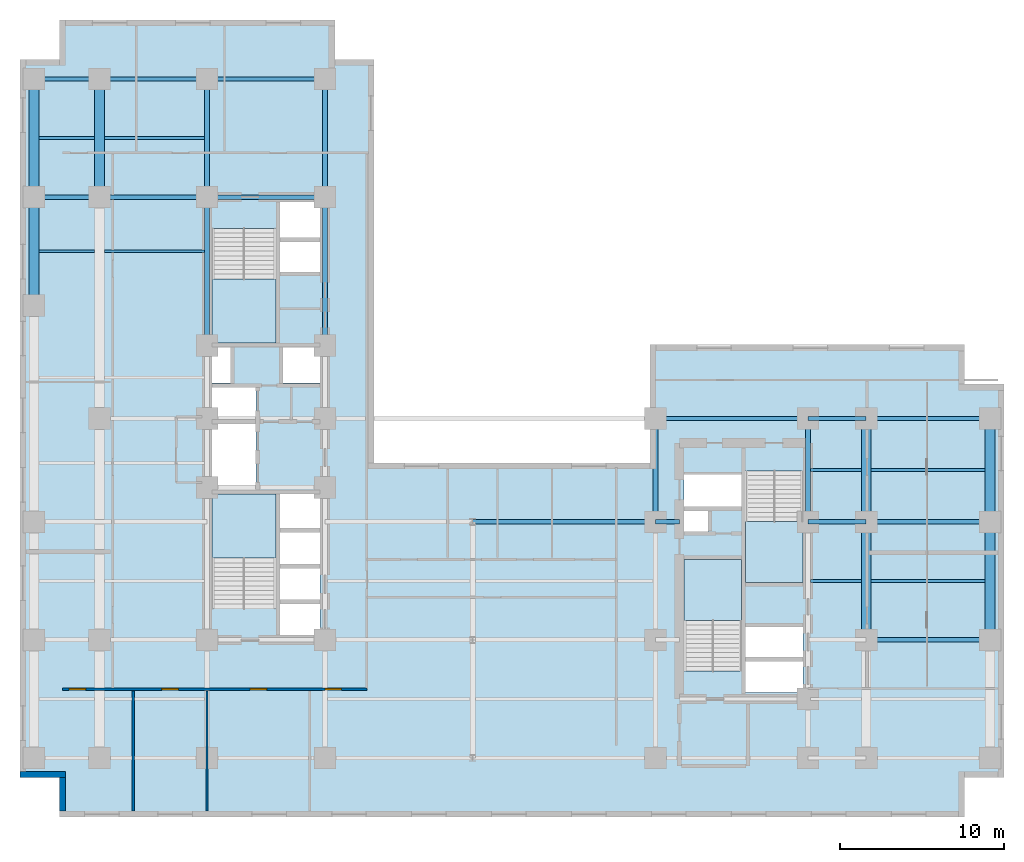
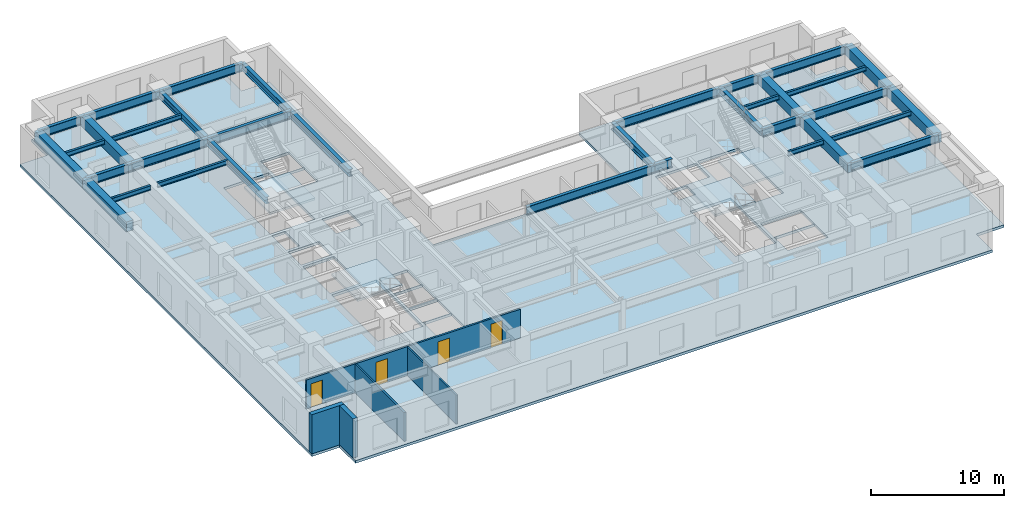
# One storey, part 2 of 10: 35 beams, 5 slabs, 5 walls, 4 doors, 4 openings, 4 elements without a shape of their own.
"""IFC4 building model written with IfcOpenShell, lengths in metres."""

from ifc_helpers import new_model, entity, si_unit, converted_unit, direction, frame, origin_with_axes, origin_2d_with_axis, place, context, subcontext, project, spatial, polyline, rectangle, i_section, outline, extrude, material, layer, layer_set, material_profile, profile_set, type_object, element, fill, aggregate, save


model = new_model("IFC4")

# Units and contexts
model_context = context("Model", 3, precision=1e-05, world=origin_with_axes(), true_north=direction((0.0, 1.0)))
body_context = subcontext(model_context, "Body", "Model", "MODEL_VIEW")
ifc_project = project(units=[si_unit("LENGTHUNIT", "METRE"), si_unit("AREAUNIT", "SQUARE_METRE"), si_unit("VOLUMEUNIT", "CUBIC_METRE"), converted_unit("PLANEANGLEUNIT", "DEGREE", entity("IfcPlaneAngleMeasure", 0.017453292519943295), si_unit("PLANEANGLEUNIT", "RADIAN"), dimensions=[0, 0, 0, 0, 0, 0, 0]), si_unit("MASSUNIT", "GRAM", prefix="KILO"), si_unit("THERMODYNAMICTEMPERATUREUNIT", "KELVIN")], contexts=[model_context])

# Site, building, storey
site_placement = place(None, origin_with_axes())
site = spatial("IfcSite", under=ifc_project, at=site_placement, CompositionType="ELEMENT")
building_placement = place(site_placement, origin_with_axes())
building = spatial("IfcBuilding", under=site, at=building_placement, Name="Varnlund Millrace Tower", CompositionType="ELEMENT")
storey_placement = place(building_placement, frame((0.0, 0.0, 75.6), z_axis=(0.0, 0.0, 1.0), x_axis=(1.0, 0.0, 0.0)))
storey = spatial("IfcBuildingStorey", under=building, at=storey_placement, Name="L18", CompositionType="ELEMENT", Elevation=75.6)

# Beams
ifc_material_1 = material(Name="Steel ASTM A992 Grade 50", Category="steel")
ifc_material_profile_1 = material_profile(ifc_material_1, i_section(OverallWidth=0.328, OverallDepth=0.628, WebThickness=0.0165, FlangeThickness=0.0277, FilletRadius=0.018, at=origin_2d_with_axis()), Name="Steel ASTM A992 Grade 50")
ifc_profile_set_1 = profile_set([ifc_material_profile_1], Name="Steel ASTM A992 Grade 50")
beam_type_1 = type_object("IfcBeamType", Name="Type-Girder-W24X146", PredefinedType="USERDEFINED", material=ifc_profile_set_1)
beam_1_placement = place(storey_placement, frame((11.4, 28.75, 3.286), z_axis=(0.0, 1.0, 0.0), x_axis=(-1.0, 0.0, 0.0)))
element("IfcBeam", 1, at=beam_1_placement, inside=storey, type_object=beam_type_1, Name="Type-Girder-W24X146", ObjectType="GIRDER", PredefinedType="USERDEFINED", context=body_context, shape_type="SweptSolid", body=[
    extrude(i_section(OverallWidth=0.328, OverallDepth=0.628, WebThickness=0.0165, FlangeThickness=0.0277, FilletRadius=0.018, at=origin_2d_with_axis()), origin_with_axes(), (0.0, 0.0, 1.0), 9.05),
])
beam_2_placement = place(storey_placement, frame((11.4, 37.8, 3.286), z_axis=(0.0, 1.0, 0.0), x_axis=(-1.0, 0.0, 0.0)))
element("IfcBeam", 2, at=beam_2_placement, inside=storey, type_object=beam_type_1, Name="Type-Girder-W24X146", ObjectType="GIRDER", PredefinedType="USERDEFINED", context=body_context, shape_type="SweptSolid", body=[
    extrude(i_section(OverallWidth=0.328, OverallDepth=0.628, WebThickness=0.0165, FlangeThickness=0.0277, FilletRadius=0.018, at=origin_2d_with_axis()), origin_with_axes(), (0.0, 0.0, 1.0), 7.2),
])
beam_3_placement = place(storey_placement, frame((18.6, 28.75, 3.286), z_axis=(0.0, 1.0, 0.0), x_axis=(-1.0, 0.0, 0.0)))
element("IfcBeam", 3, at=beam_3_placement, inside=storey, type_object=beam_type_1, Name="Type-Girder-W24X146", ObjectType="GIRDER", PredefinedType="USERDEFINED", context=body_context, shape_type="SweptSolid", body=[
    extrude(i_section(OverallWidth=0.328, OverallDepth=0.628, WebThickness=0.0165, FlangeThickness=0.0277, FilletRadius=0.018, at=origin_2d_with_axis()), origin_with_axes(), (0.0, 0.0, 1.0), 9.05),
])
beam_4_placement = place(storey_placement, frame((18.6, 37.8, 3.286), z_axis=(0.0, 1.0, 0.0), x_axis=(-1.0, 0.0, 0.0)))
element("IfcBeam", 4, at=beam_4_placement, inside=storey, type_object=beam_type_1, Name="Type-Girder-W24X146", ObjectType="GIRDER", PredefinedType="USERDEFINED", context=body_context, shape_type="SweptSolid", body=[
    extrude(i_section(OverallWidth=0.328, OverallDepth=0.628, WebThickness=0.0165, FlangeThickness=0.0277, FilletRadius=0.018, at=origin_2d_with_axis()), origin_with_axes(), (0.0, 0.0, 1.0), 7.2),
])
for number, where, z_axis, x_axis, name in (
    (5, (38.75, 18.0, 3.286), (0.0, 1.0, 0.0), (-1.0, 0.0, 0.0), "Type-Girder-W24X146"),
    (6, (48.05, 18.0, 3.286), (0.0, 1.0, 0.0), (-1.0, 0.0, 0.0), "Type-Girder-W24X146"),
):
    element("IfcBeam", number, at=place(storey_placement, frame(where, z_axis=z_axis, x_axis=x_axis)), inside=storey, type_object=beam_type_1, Name=name, ObjectType="GIRDER", PredefinedType="USERDEFINED", context=body_context, shape_type="SweptSolid", body=[
        extrude(i_section(OverallWidth=0.328, OverallDepth=0.628, WebThickness=0.0165, FlangeThickness=0.0277, FilletRadius=0.018, at=origin_2d_with_axis()), origin_with_axes(), (0.0, 0.0, 1.0), 6.3),
    ])
ifc_material_profile_2 = material_profile(ifc_material_1, i_section(OverallWidth=0.266, OverallDepth=0.779, WebThickness=0.0165, FlangeThickness=0.03, FilletRadius=0.02, at=origin_2d_with_axis()), Name="Steel ASTM A992 Grade 50")
ifc_profile_set_2 = profile_set([ifc_material_profile_2], Name="Steel ASTM A992 Grade 50")
beam_type_2 = type_object("IfcBeamType", Name="Type-Girder-W30X148", PredefinedType="USERDEFINED", material=ifc_profile_set_2)
beam_5_placement = place(storey_placement, frame((51.6, 10.8, 3.2105), z_axis=(1.0, 0.0, 0.0), x_axis=(0.0, 1.0, 0.0)))
element("IfcBeam", 7, at=beam_5_placement, inside=storey, type_object=beam_type_2, Name="Type-Girder-W30X148", ObjectType="GIRDER", PredefinedType="USERDEFINED", context=body_context, shape_type="SweptSolid", body=[
    extrude(i_section(OverallWidth=0.266, OverallDepth=0.779, WebThickness=0.0165, FlangeThickness=0.03, FilletRadius=0.02, at=origin_2d_with_axis()), origin_with_axes(), (0.0, 0.0, 1.0), 7.55),
])
beam_6_placement = place(storey_placement, frame((27.6, 18.0, 3.2105), z_axis=(1.0, 0.0, 0.0), x_axis=(0.0, 1.0, 0.0)))
element("IfcBeam", 8, at=beam_6_placement, inside=storey, type_object=beam_type_2, Name="Type-Girder-W30X148", ObjectType="GIRDER", PredefinedType="USERDEFINED", context=body_context, shape_type="SweptSolid", body=[
    extrude(i_section(OverallWidth=0.266, OverallDepth=0.779, WebThickness=0.0165, FlangeThickness=0.03, FilletRadius=0.02, at=origin_2d_with_axis()), origin_with_axes(), (0.0, 0.0, 1.0), 11.15),
])
beam_7_placement = place(storey_placement, frame((38.75, 18.0, 3.2105), z_axis=(1.0, 0.0, 0.0), x_axis=(0.0, 1.0, 0.0)))
element("IfcBeam", 9, at=beam_7_placement, inside=storey, type_object=beam_type_2, Name="Type-Girder-W30X148", ObjectType="GIRDER", PredefinedType="USERDEFINED", context=body_context, shape_type="SweptSolid", body=[
    extrude(i_section(OverallWidth=0.266, OverallDepth=0.779, WebThickness=0.0165, FlangeThickness=0.03, FilletRadius=0.02, at=origin_2d_with_axis()), origin_with_axes(), (0.0, 0.0, 1.0), 1.45),
])
beam_8_placement = place(storey_placement, frame((48.05, 18.0, 3.2105), z_axis=(1.0, 0.0, 0.0), x_axis=(0.0, 1.0, 0.0)))
element("IfcBeam", 10, at=beam_8_placement, inside=storey, type_object=beam_type_2, Name="Type-Girder-W30X148", ObjectType="GIRDER", PredefinedType="USERDEFINED", context=body_context, shape_type="SweptSolid", body=[
    extrude(i_section(OverallWidth=0.266, OverallDepth=0.779, WebThickness=0.0165, FlangeThickness=0.03, FilletRadius=0.02, at=origin_2d_with_axis()), origin_with_axes(), (0.0, 0.0, 1.0), 3.55),
])
beam_9_placement = place(storey_placement, frame((51.6, 18.0, 3.2105), z_axis=(1.0, 0.0, 0.0), x_axis=(0.0, 1.0, 0.0)))
element("IfcBeam", 11, at=beam_9_placement, inside=storey, type_object=beam_type_2, Name="Type-Girder-W30X148", ObjectType="GIRDER", PredefinedType="USERDEFINED", context=body_context, shape_type="SweptSolid", body=[
    extrude(i_section(OverallWidth=0.266, OverallDepth=0.779, WebThickness=0.0165, FlangeThickness=0.03, FilletRadius=0.02, at=origin_2d_with_axis()), origin_with_axes(), (0.0, 0.0, 1.0), 7.55),
])
beam_10_placement = place(storey_placement, frame((38.75, 24.3, 3.2105), z_axis=(1.0, 0.0, 0.0), x_axis=(0.0, 1.0, 0.0)))
element("IfcBeam", 12, at=beam_10_placement, inside=storey, type_object=beam_type_2, Name="Type-Girder-W30X148", ObjectType="GIRDER", PredefinedType="USERDEFINED", context=body_context, shape_type="SweptSolid", body=[
    extrude(i_section(OverallWidth=0.266, OverallDepth=0.779, WebThickness=0.0165, FlangeThickness=0.03, FilletRadius=0.02, at=origin_2d_with_axis()), origin_with_axes(), (0.0, 0.0, 1.0), 9.3),
])
beam_11_placement = place(storey_placement, frame((48.05, 24.3, 3.2105), z_axis=(1.0, 0.0, 0.0), x_axis=(0.0, 1.0, 0.0)))
element("IfcBeam", 13, at=beam_11_placement, inside=storey, type_object=beam_type_2, Name="Type-Girder-W30X148", ObjectType="GIRDER", PredefinedType="USERDEFINED", context=body_context, shape_type="SweptSolid", body=[
    extrude(i_section(OverallWidth=0.266, OverallDepth=0.779, WebThickness=0.0165, FlangeThickness=0.03, FilletRadius=0.02, at=origin_2d_with_axis()), origin_with_axes(), (0.0, 0.0, 1.0), 3.55),
])
beam_12_placement = place(storey_placement, frame((51.6, 24.3, 3.2105), z_axis=(1.0, 0.0, 0.0), x_axis=(0.0, 1.0, 0.0)))
element("IfcBeam", 14, at=beam_12_placement, inside=storey, type_object=beam_type_2, Name="Type-Girder-W30X148", ObjectType="GIRDER", PredefinedType="USERDEFINED", context=body_context, shape_type="SweptSolid", body=[
    extrude(i_section(OverallWidth=0.266, OverallDepth=0.779, WebThickness=0.0165, FlangeThickness=0.03, FilletRadius=0.02, at=origin_2d_with_axis()), origin_with_axes(), (0.0, 0.0, 1.0), 7.55),
])
beam_13_placement = place(storey_placement, frame((0.85, 37.8, 3.2105), z_axis=(1.0, 0.0, 0.0), x_axis=(0.0, 1.0, 0.0)))
element("IfcBeam", 15, at=beam_13_placement, inside=storey, type_object=beam_type_2, Name="Type-Girder-W30X148", ObjectType="GIRDER", PredefinedType="USERDEFINED", context=body_context, shape_type="SweptSolid", body=[
    extrude(i_section(OverallWidth=0.266, OverallDepth=0.779, WebThickness=0.0165, FlangeThickness=0.03, FilletRadius=0.02, at=origin_2d_with_axis()), origin_with_axes(), (0.0, 0.0, 1.0), 4.0),
])
beam_14_placement = place(storey_placement, frame((4.85, 37.8, 3.2105), z_axis=(1.0, 0.0, 0.0), x_axis=(0.0, 1.0, 0.0)))
element("IfcBeam", 16, at=beam_14_placement, inside=storey, type_object=beam_type_2, Name="Type-Girder-W30X148", ObjectType="GIRDER", PredefinedType="USERDEFINED", context=body_context, shape_type="SweptSolid", body=[
    extrude(i_section(OverallWidth=0.266, OverallDepth=0.779, WebThickness=0.0165, FlangeThickness=0.03, FilletRadius=0.02, at=origin_2d_with_axis()), origin_with_axes(), (0.0, 0.0, 1.0), 6.55),
])
beam_15_placement = place(storey_placement, frame((11.4, 37.8, 3.2105), z_axis=(1.0, 0.0, 0.0), x_axis=(0.0, 1.0, 0.0)))
element("IfcBeam", 17, at=beam_15_placement, inside=storey, type_object=beam_type_2, Name="Type-Girder-W30X148", ObjectType="GIRDER", PredefinedType="USERDEFINED", context=body_context, shape_type="SweptSolid", body=[
    extrude(i_section(OverallWidth=0.266, OverallDepth=0.779, WebThickness=0.0165, FlangeThickness=0.03, FilletRadius=0.02, at=origin_2d_with_axis()), origin_with_axes(), (0.0, 0.0, 1.0), 7.2),
])
beam_16_placement = place(storey_placement, frame((0.85, 45.0, 3.2105), z_axis=(1.0, 0.0, 0.0), x_axis=(0.0, 1.0, 0.0)))
element("IfcBeam", 18, at=beam_16_placement, inside=storey, type_object=beam_type_2, Name="Type-Girder-W30X148", ObjectType="GIRDER", PredefinedType="USERDEFINED", context=body_context, shape_type="SweptSolid", body=[
    extrude(i_section(OverallWidth=0.266, OverallDepth=0.779, WebThickness=0.0165, FlangeThickness=0.03, FilletRadius=0.02, at=origin_2d_with_axis()), origin_with_axes(), (0.0, 0.0, 1.0), 4.0),
])
beam_17_placement = place(storey_placement, frame((4.85, 45.0, 3.2105), z_axis=(1.0, 0.0, 0.0), x_axis=(0.0, 1.0, 0.0)))
element("IfcBeam", 19, at=beam_17_placement, inside=storey, type_object=beam_type_2, Name="Type-Girder-W30X148", ObjectType="GIRDER", PredefinedType="USERDEFINED", context=body_context, shape_type="SweptSolid", body=[
    extrude(i_section(OverallWidth=0.266, OverallDepth=0.779, WebThickness=0.0165, FlangeThickness=0.03, FilletRadius=0.02, at=origin_2d_with_axis()), origin_with_axes(), (0.0, 0.0, 1.0), 6.55),
])
beam_18_placement = place(storey_placement, frame((11.4, 45.0, 3.2105), z_axis=(1.0, 0.0, 0.0), x_axis=(0.0, 1.0, 0.0)))
element("IfcBeam", 20, at=beam_18_placement, inside=storey, type_object=beam_type_2, Name="Type-Girder-W30X148", ObjectType="GIRDER", PredefinedType="USERDEFINED", context=body_context, shape_type="SweptSolid", body=[
    extrude(i_section(OverallWidth=0.266, OverallDepth=0.779, WebThickness=0.0165, FlangeThickness=0.03, FilletRadius=0.02, at=origin_2d_with_axis()), origin_with_axes(), (0.0, 0.0, 1.0), 7.2),
])
ifc_material_profile_3 = material_profile(ifc_material_1, i_section(OverallWidth=0.181, OverallDepth=0.417, WebThickness=0.0109, FlangeThickness=0.0182, FilletRadius=0.013, at=origin_2d_with_axis()), Name="Steel ASTM A992 Grade 50")
ifc_profile_set_3 = profile_set([ifc_material_profile_3], Name="Steel ASTM A992 Grade 50")
beam_type_3 = type_object("IfcBeamType", Name="Type-Joist-W16X57", PredefinedType="JOIST", material=ifc_profile_set_3)
for number, where, z_axis, x_axis, name in (
    (21, (1.15, 34.5, 3.3915), (1.0, 0.0, 0.0), (0.0, 1.0, 0.0), "Type-Joist-W16X57"),
    (22, (1.15, 41.4, 3.3915), (1.0, 0.0, 0.0), (0.0, 1.0, 0.0), "Type-Joist-W16X57"),
):
    element("IfcBeam", number, at=place(storey_placement, frame(where, z_axis=z_axis, x_axis=x_axis)), inside=storey, type_object=beam_type_3, Name=name, PredefinedType="JOIST", context=body_context, shape_type="SweptSolid", body=[
        extrude(i_section(OverallWidth=0.181, OverallDepth=0.417, WebThickness=0.0109, FlangeThickness=0.0182, FilletRadius=0.013, at=origin_2d_with_axis()), origin_with_axes(), (0.0, 0.0, 1.0), 3.4),
    ])
for number, where, z_axis, x_axis, name in (
    (23, (5.15, 34.5, 3.3915), (1.0, 0.0, 0.0), (0.0, 1.0, 0.0), "Type-Joist-W16X57"),
    (24, (5.15, 41.4, 3.3915), (1.0, 0.0, 0.0), (0.0, 1.0, 0.0), "Type-Joist-W16X57"),
):
    element("IfcBeam", number, at=place(storey_placement, frame(where, z_axis=z_axis, x_axis=x_axis)), inside=storey, type_object=beam_type_3, Name=name, PredefinedType="JOIST", context=body_context, shape_type="SweptSolid", body=[
        extrude(i_section(OverallWidth=0.181, OverallDepth=0.417, WebThickness=0.0109, FlangeThickness=0.0182, FilletRadius=0.013, at=origin_2d_with_axis()), origin_with_axes(), (0.0, 0.0, 1.0), 6.086),
    ])
for number, where, z_axis, x_axis, name in (
    (25, (48.214, 14.4, 3.3915), (1.0, 0.0, 0.0), (0.0, 1.0, 0.0), "Type-Joist-W16X57"),
    (26, (48.214, 21.15, 3.3915), (1.0, 0.0, 0.0), (0.0, 1.0, 0.0), "Type-Joist-W16X57"),
):
    element("IfcBeam", number, at=place(storey_placement, frame(where, z_axis=z_axis, x_axis=x_axis)), inside=storey, type_object=beam_type_3, Name=name, PredefinedType="JOIST", context=body_context, shape_type="SweptSolid", body=[
        extrude(i_section(OverallWidth=0.181, OverallDepth=0.417, WebThickness=0.0109, FlangeThickness=0.0182, FilletRadius=0.013, at=origin_2d_with_axis()), origin_with_axes(), (0.0, 0.0, 1.0), 3.086),
    ])
for number, where, z_axis, x_axis, name in (
    (27, (51.9, 14.4, 3.3915), (1.0, 0.0, 0.0), (0.0, 1.0, 0.0), "Type-Joist-W16X57"),
    (28, (51.9, 21.15, 3.3915), (1.0, 0.0, 0.0), (0.0, 1.0, 0.0), "Type-Joist-W16X57"),
):
    element("IfcBeam", number, at=place(storey_placement, frame(where, z_axis=z_axis, x_axis=x_axis)), inside=storey, type_object=beam_type_3, Name=name, PredefinedType="JOIST", context=body_context, shape_type="SweptSolid", body=[
        extrude(i_section(OverallWidth=0.181, OverallDepth=0.417, WebThickness=0.0109, FlangeThickness=0.0182, FilletRadius=0.013, at=origin_2d_with_axis()), origin_with_axes(), (0.0, 0.0, 1.0), 6.95),
    ])
ifc_material_2 = material(Name="Concrete C70/85", Category="concrete")
ifc_material_profile_4 = material_profile(ifc_material_2, rectangle(XDim=0.6, YDim=0.9, at=origin_2d_with_axis()), Name="Concrete C70/85")
ifc_profile_set_4 = profile_set([ifc_material_profile_4], Name="Concrete C70/85")
beam_type_4 = type_object("IfcBeamType", Name="Type-Spandrel-RC600X900", PredefinedType="SPANDREL", material=ifc_profile_set_4)
beam_19_placement = place(storey_placement, frame((0.85, 31.2, 3.15), z_axis=(0.0, 1.0, 0.0), x_axis=(-1.0, 0.0, 0.0)))
element("IfcBeam", 29, at=beam_19_placement, inside=storey, type_object=beam_type_4, Name="Type-Spandrel-RC600X900", PredefinedType="SPANDREL", context=body_context, shape_type="SweptSolid", body=[
    extrude(rectangle(XDim=0.6, YDim=0.9, at=origin_2d_with_axis()), origin_with_axes(), (0.0, 0.0, 1.0), 6.6),
])
for number, where, z_axis, x_axis, name in (
    (30, (0.85, 37.8, 3.15), (0.0, 1.0, 0.0), (-1.0, 0.0, 0.0), "Type-Spandrel-RC600X900"),
    (31, (4.85, 37.8, 3.15), (0.0, 1.0, 0.0), (-1.0, 0.0, 0.0), "Type-Spandrel-RC600X900"),
    (32, (51.6, 10.8, 3.15), (0.0, 1.0, 0.0), (-1.0, 0.0, 0.0), "Type-Spandrel-RC600X900"),
):
    element("IfcBeam", number, at=place(storey_placement, frame(where, z_axis=z_axis, x_axis=x_axis)), inside=storey, type_object=beam_type_4, Name=name, PredefinedType="SPANDREL", context=body_context, shape_type="SweptSolid", body=[
        extrude(rectangle(XDim=0.6, YDim=0.9, at=origin_2d_with_axis()), origin_with_axes(), (0.0, 0.0, 1.0), 7.2),
    ])
beam_20_placement = place(storey_placement, frame((51.6, 18.0, 3.15), z_axis=(0.0, 1.0, 0.0), x_axis=(-1.0, 0.0, 0.0)))
element("IfcBeam", 33, at=beam_20_placement, inside=storey, type_object=beam_type_4, Name="Type-Spandrel-RC600X900", PredefinedType="SPANDREL", context=body_context, shape_type="SweptSolid", body=[
    extrude(rectangle(XDim=0.6, YDim=0.9, at=origin_2d_with_axis()), origin_with_axes(), (0.0, 0.0, 1.0), 6.3),
])
beam_21_placement = place(storey_placement, frame((59.15, 10.8, 3.15), z_axis=(0.0, 1.0, 0.0), x_axis=(-1.0, 0.0, 0.0)))
element("IfcBeam", 34, at=beam_21_placement, inside=storey, type_object=beam_type_4, Name="Type-Spandrel-RC600X900", PredefinedType="SPANDREL", context=body_context, shape_type="SweptSolid", body=[
    extrude(rectangle(XDim=0.6, YDim=0.9, at=origin_2d_with_axis()), origin_with_axes(), (0.0, 0.0, 1.0), 7.2),
])
beam_22_placement = place(storey_placement, frame((59.15, 18.0, 3.15), z_axis=(0.0, 1.0, 0.0), x_axis=(-1.0, 0.0, 0.0)))
element("IfcBeam", 35, at=beam_22_placement, inside=storey, type_object=beam_type_4, Name="Type-Spandrel-RC600X900", PredefinedType="SPANDREL", context=body_context, shape_type="SweptSolid", body=[
    extrude(rectangle(XDim=0.6, YDim=0.9, at=origin_2d_with_axis()), origin_with_axes(), (0.0, 0.0, 1.0), 6.3),
])

# Slab
ifc_material_3 = material(Name="Concrete C60/75", Category="concrete")
ifc_layer_1 = layer(ifc_material_3, 0.24, Name="Concrete C60/75")
ifc_layer_set_1 = layer_set([ifc_layer_1], Name="Concrete C60/75")
slab_type_1 = type_object("IfcSlabType", Name="Type-Deck-Plate-Typical-240", PredefinedType="FLOOR", material=ifc_layer_set_1)
slab_1_placement = place(storey_placement, frame((0.0, 0.0, -0.24), z_axis=(0.0, 0.0, 1.0), x_axis=(1.0, 0.0, 0.0)))
element("IfcSlab", 36, at=slab_1_placement, inside=storey, type_object=slab_type_1, Name="Type-Deck-Plate-Typical-240", PredefinedType="FLOOR", context=body_context, shape_type="SweptSolid", body=[
    extrude(outline(polyline([(21.6, 21.6), (21.6, 46.2), (19.2, 46.2), (19.2, 48.6), (2.4, 48.6), (2.4, 46.2), (0.0, 46.2), (0.0, 2.4), (2.4, 2.4), (2.4, 0.0), (57.6, 0.0), (57.6, 2.4), (60.0, 2.4), (60.0, 26.4), (57.6, 26.4), (57.6, 28.8), (38.4, 28.8), (38.4, 21.6), (21.6, 21.6)]), holes=[polyline([(18.3, 11.1), (15.84, 11.1), (15.84, 13.1), (18.3, 13.1), (18.3, 11.1)]), polyline([(18.3, 13.16), (15.84, 13.16), (15.84, 15.24), (18.3, 15.24), (18.3, 13.16)]), polyline([(15.6, 12.715), (11.7, 12.715), (11.7, 19.7), (15.6, 19.7), (15.6, 12.715)]), polyline([(18.3, 15.34), (15.84, 15.34), (15.84, 17.46), (18.3, 17.46), (18.3, 15.34)]), polyline([(18.3, 17.52), (15.84, 17.52), (15.84, 19.7), (18.3, 19.7), (18.3, 17.52)]), polyline([(14.38, 23.98), (14.38, 19.94), (11.7, 19.94), (11.7, 23.98), (14.38, 23.98)]), polyline([(11.7, 24.24), (11.7, 26.2), (14.38, 26.2), (14.38, 24.24), (11.7, 24.24)]), polyline([(11.7, 26.46), (11.7, 28.65), (12.84, 28.65), (12.84, 26.46), (11.7, 26.46)]), polyline([(15.6, 28.9), (11.7, 28.9), (11.7, 35.885), (15.6, 35.885), (15.6, 28.9)]), polyline([(47.75, 7.6), (44.25, 7.6), (44.25, 9.6), (47.75, 9.6), (47.75, 7.6)]), polyline([(47.75, 9.66), (44.25, 9.66), (44.25, 11.68), (47.75, 11.68), (47.75, 9.66)]), polyline([(40.5, 8.915), (40.5, 15.7), (44.0, 15.7), (44.0, 8.915), (40.5, 8.915)]), polyline([(44.25, 14.3), (44.25, 21.085), (47.75, 21.085), (47.75, 14.3), (44.25, 14.3)]), polyline([(41.95, 17.42), (40.5, 17.42), (40.5, 18.72), (41.95, 18.72), (41.95, 17.42)]), polyline([(44.0, 18.88), (40.5, 18.88), (40.5, 20.94), (44.0, 20.94), (44.0, 18.88)]), polyline([(18.3, 26.46), (16.04, 26.46), (16.04, 28.65), (18.3, 28.65), (18.3, 26.46)]), polyline([(15.84, 33.12), (15.84, 35.18), (18.3, 35.18), (18.3, 33.12), (15.84, 33.12)]), polyline([(15.84, 35.22), (15.84, 37.5), (18.3, 37.5), (18.3, 35.22), (15.84, 35.22)])]), origin_with_axes(), (0.0, 0.0, 1.0), 0.24),
])

# Stair, slab
ifc_material_4 = material(Name="Concrete C50/60", Category="concrete")
stair_type_1 = type_object("IfcStairType", Name="Type-Stair-Dogleg-185-390", PredefinedType="HALF_TURN_STAIR", material=ifc_material_4)
stair_1_placement = place(storey_placement, origin_with_axes())
stair_1 = element("IfcStair", 37, at=stair_1_placement, inside=storey, type_object=stair_type_1, Name="Type-Stair-Dogleg-185-390", PredefinedType="HALF_TURN_STAIR")
ifc_layer_2 = layer(ifc_material_4, 0.2, Name="Concrete C50/60")
ifc_layer_set_2 = layer_set([ifc_layer_2], Name="Concrete C50/60")
slab_type_2 = type_object("IfcSlabType", Name="Type-StairLanding-200", PredefinedType="LANDING", material=ifc_layer_set_2)
slab_2_placement = place(storey_placement, frame((0.0, 0.0, 1.75), z_axis=(0.0, 0.0, 1.0), x_axis=(1.0, 0.0, 0.0)))
slab_2 = element("IfcSlab", 38, at=slab_2_placement, type_object=slab_type_2, Name="ST-A1 landing 1", PredefinedType="LANDING", context=body_context, shape_type="SweptSolid", body=[
    extrude(outline(polyline([(15.6, 15.78), (15.6, 19.7), (11.7, 19.7), (11.7, 15.78), (15.6, 15.78)])), origin_with_axes(), (0.0, 0.0, 1.0), 0.2),
])
aggregate(stair_1, [slab_2])

stair_2_placement = place(storey_placement, origin_with_axes())
stair_2 = element("IfcStair", 39, at=stair_2_placement, inside=storey, type_object=stair_type_1, Name="Type-Stair-Dogleg-185-390", PredefinedType="HALF_TURN_STAIR")
slab_3_placement = place(storey_placement, frame((0.0, 0.0, 1.75), z_axis=(0.0, 0.0, 1.0), x_axis=(1.0, 0.0, 0.0)))
slab_3 = element("IfcSlab", 40, at=slab_3_placement, type_object=slab_type_2, Name="ST-A2 landing 1", PredefinedType="LANDING", context=body_context, shape_type="SweptSolid", body=[
    extrude(outline(polyline([(11.7, 32.82), (11.7, 28.9), (15.6, 28.9), (15.6, 32.82), (11.7, 32.82)])), origin_with_axes(), (0.0, 0.0, 1.0), 0.2),
])
aggregate(stair_2, [slab_3])

stair_type_2 = type_object("IfcStairType", Name="Type-Stair-Dogleg-165-390", PredefinedType="HALF_TURN_STAIR", material=ifc_material_4)
stair_3_placement = place(storey_placement, origin_with_axes())
stair_3 = element("IfcStair", 41, at=stair_3_placement, inside=storey, type_object=stair_type_2, Name="Type-Stair-Dogleg-165-390", PredefinedType="HALF_TURN_STAIR")
slab_4_placement = place(storey_placement, frame((0.0, 0.0, 1.75), z_axis=(0.0, 0.0, 1.0), x_axis=(1.0, 0.0, 0.0)))
slab_4 = element("IfcSlab", 42, at=slab_4_placement, type_object=slab_type_2, Name="ST-B1 landing 1", PredefinedType="LANDING", context=body_context, shape_type="SweptSolid", body=[
    extrude(outline(polyline([(44.0, 11.98), (44.0, 15.7), (40.5, 15.7), (40.5, 11.98), (44.0, 11.98)])), origin_with_axes(), (0.0, 0.0, 1.0), 0.2),
])
aggregate(stair_3, [slab_4])

stair_4_placement = place(storey_placement, origin_with_axes())
stair_4 = element("IfcStair", 43, at=stair_4_placement, inside=storey, type_object=stair_type_2, Name="Type-Stair-Dogleg-165-390", PredefinedType="HALF_TURN_STAIR")
slab_5_placement = place(storey_placement, frame((0.0, 0.0, 1.75), z_axis=(0.0, 0.0, 1.0), x_axis=(1.0, 0.0, 0.0)))
slab_5 = element("IfcSlab", 44, at=slab_5_placement, type_object=slab_type_2, Name="ST-B2 landing 1", PredefinedType="LANDING", context=body_context, shape_type="SweptSolid", body=[
    extrude(outline(polyline([(44.25, 18.02), (44.25, 14.3), (47.75, 14.3), (47.75, 18.02), (44.25, 18.02)])), origin_with_axes(), (0.0, 0.0, 1.0), 0.2),
])
aggregate(stair_4, [slab_5])

# Walls
ifc_material_5 = material(Name="Precast concrete C50/60", Category="concrete")
ifc_layer_3 = layer(ifc_material_5, 0.38, Name="Precast concrete C50/60")
ifc_layer_set_3 = layer_set([ifc_layer_3], Name="Precast concrete C50/60")
wall_type_1 = type_object("IfcWallType", Name="Type-ExtWall-Precast-Tube-380", PredefinedType="SOLIDWALL", material=ifc_layer_set_3)
wall_1_placement = place(storey_placement, frame((2.59, 0.38, 0.0), z_axis=(0.0, 0.0, 1.0), x_axis=(0.0, 1.0, 0.0)))
element("IfcWall", 45, at=wall_1_placement, inside=storey, type_object=wall_type_1, Name="Type-ExtWall-Precast-Tube-380", PredefinedType="SOLIDWALL", context=body_context, shape_type="SweptSolid", body=[
    extrude(outline(polyline([(0.0, -0.19), (2.02, -0.19), (2.02, 0.19), (0.0, 0.19), (0.0, -0.19)])), origin_with_axes(), (0.0, 0.0, 1.0), 3.6),
])
wall_2_placement = place(storey_placement, frame((2.78, 2.59, 0.0), z_axis=(0.0, 0.0, 1.0), x_axis=(-1.0, 0.0, 0.0)))
element("IfcWall", 46, at=wall_2_placement, inside=storey, type_object=wall_type_1, Name="Type-ExtWall-Precast-Tube-380", PredefinedType="SOLIDWALL", context=body_context, shape_type="SweptSolid", body=[
    extrude(outline(polyline([(0.0, -0.19), (2.78, -0.19), (2.78, 0.19), (0.0, 0.19), (0.0, -0.19)])), origin_with_axes(), (0.0, 0.0, 1.0), 3.6),
])

# Wall, openings, doors
ifc_material_6 = material(Name="Fire-rated gypsum board on cold-formed steel framing", Category="steel")
ifc_layer_4 = layer(ifc_material_6, 0.16, Name="Fire-rated gypsum board on cold-formed steel framing")
ifc_layer_set_4 = layer_set([ifc_layer_4], Name="Fire-rated gypsum board on cold-formed steel framing")
wall_type_2 = type_object("IfcWallType", Name="Type-Partition-Corridor-160", PredefinedType="PARTITIONING", material=ifc_layer_set_4)
wall_3_placement = place(storey_placement, frame((2.6, 7.8, 0.0), z_axis=(0.0, 0.0, 1.0), x_axis=(1.0, 0.0, 0.0)))
wall_3 = element("IfcWall", 47, at=wall_3_placement, inside=storey, type_object=wall_type_2, Name="Type-Partition-Corridor-160", PredefinedType="PARTITIONING", context=body_context, shape_type="SweptSolid", body=[
    extrude(outline(polyline([(0.0, -0.08), (18.55, -0.08), (18.55, 0.08), (0.0, 0.08), (0.0, -0.08)])), origin_with_axes(), (0.0, 0.0, 1.0), 2.64),
])
opening_1_placement = place(wall_3_placement, frame((0.894, 0.0, 0.0), z_axis=(0.0, 0.0, 1.0), x_axis=(1.0, 0.0, 0.0)))
opening_1 = element("IfcOpeningElement", 48, at=opening_1_placement, cuts=wall_3, Name="Opening L18:DR-WAS-01", PredefinedType="OPENING", context=body_context, shape_type="SweptSolid", body=[
    extrude(rectangle(XDim=1.0, YDim=0.18, at=origin_2d_with_axis()), origin_with_axes(), (0.0, 0.0, 1.0), 2.15),
])
opening_2_placement = place(wall_3_placement, frame((6.5495, 0.0, 0.0), z_axis=(0.0, 0.0, 1.0), x_axis=(1.0, 0.0, 0.0)))
opening_2 = element("IfcOpeningElement", 49, at=opening_2_placement, cuts=wall_3, Name="Opening L18:DR-WAS-02", PredefinedType="OPENING", context=body_context, shape_type="SweptSolid", body=[
    extrude(rectangle(XDim=1.0, YDim=0.18, at=origin_2d_with_axis()), origin_with_axes(), (0.0, 0.0, 1.0), 2.15),
])
opening_3_placement = place(wall_3_placement, frame((11.932, 0.0, 0.0), z_axis=(0.0, 0.0, 1.0), x_axis=(1.0, 0.0, 0.0)))
opening_3 = element("IfcOpeningElement", 50, at=opening_3_placement, cuts=wall_3, Name="Opening L18:DR-WAS-03", PredefinedType="OPENING", context=body_context, shape_type="SweptSolid", body=[
    extrude(rectangle(XDim=1.0, YDim=0.18, at=origin_2d_with_axis()), origin_with_axes(), (0.0, 0.0, 1.0), 2.15),
])
opening_4_placement = place(wall_3_placement, frame((16.502, 0.0, 0.0), z_axis=(0.0, 0.0, 1.0), x_axis=(1.0, 0.0, 0.0)))
opening_4 = element("IfcOpeningElement", 51, at=opening_4_placement, cuts=wall_3, Name="Opening L18:DR-WAS-04", PredefinedType="OPENING", context=body_context, shape_type="SweptSolid", body=[
    extrude(rectangle(XDim=1.0, YDim=0.18, at=origin_2d_with_axis()), origin_with_axes(), (0.0, 0.0, 1.0), 2.15),
])
ifc_material_7 = material(Name="Solid-core white oak and bronze frame door")
door_type = type_object("IfcDoorType", Name="Type-IntDoor-Office-1000X2150", OperationType="NOTDEFINED", PredefinedType="DOOR", material=ifc_material_7)
door_1_placement = place(wall_3_placement, frame((0.894, 0.0, 0.0), z_axis=(0.0, 0.0, 1.0), x_axis=(1.0, 0.0, 0.0)))
door_1 = element("IfcDoor", 52, at=door_1_placement, inside=storey, type_object=door_type, Name="Type-IntDoor-Office-1000X2150", OperationType="SINGLE_SWING_LEFT", OverallHeight=2.15, OverallWidth=1.0, PredefinedType="DOOR", context=body_context, shape_type="SweptSolid", body=[
    extrude(rectangle(XDim=1.0, YDim=0.09, at=origin_2d_with_axis()), origin_with_axes(), (0.0, 0.0, 1.0), 2.15),
])
fill(opening_1, door_1)
door_2_placement = place(wall_3_placement, frame((6.5495, 0.0, 0.0), z_axis=(0.0, 0.0, 1.0), x_axis=(1.0, 0.0, 0.0)))
door_2 = element("IfcDoor", 53, at=door_2_placement, inside=storey, type_object=door_type, Name="Type-IntDoor-Office-1000X2150", OperationType="SINGLE_SWING_RIGHT", OverallHeight=2.15, OverallWidth=1.0, PredefinedType="DOOR", context=body_context, shape_type="SweptSolid", body=[
    extrude(rectangle(XDim=1.0, YDim=0.09, at=origin_2d_with_axis()), origin_with_axes(), (0.0, 0.0, 1.0), 2.15),
])
fill(opening_2, door_2)
door_3_placement = place(wall_3_placement, frame((11.932, 0.0, 0.0), z_axis=(0.0, 0.0, 1.0), x_axis=(1.0, 0.0, 0.0)))
door_3 = element("IfcDoor", 54, at=door_3_placement, inside=storey, type_object=door_type, Name="Type-IntDoor-Office-1000X2150", OperationType="SINGLE_SWING_LEFT", OverallHeight=2.15, OverallWidth=1.0, PredefinedType="DOOR", context=body_context, shape_type="SweptSolid", body=[
    extrude(rectangle(XDim=1.0, YDim=0.09, at=origin_2d_with_axis()), origin_with_axes(), (0.0, 0.0, 1.0), 2.15),
])
fill(opening_3, door_3)
door_4_placement = place(wall_3_placement, frame((16.502, 0.0, 0.0), z_axis=(0.0, 0.0, 1.0), x_axis=(1.0, 0.0, 0.0)))
door_4 = element("IfcDoor", 55, at=door_4_placement, inside=storey, type_object=door_type, Name="Type-IntDoor-Office-1000X2150", OperationType="SINGLE_SWING_RIGHT", OverallHeight=2.15, OverallWidth=1.0, PredefinedType="DOOR", context=body_context, shape_type="SweptSolid", body=[
    extrude(rectangle(XDim=1.0, YDim=0.09, at=origin_2d_with_axis()), origin_with_axes(), (0.0, 0.0, 1.0), 2.15),
])
fill(opening_4, door_4)

# Walls
ifc_material_8 = material(Name="Acoustic STC-50 gypsum board partition", Category="gypsum")
ifc_layer_5 = layer(ifc_material_8, 0.15, Name="Acoustic STC-50 gypsum board partition")
ifc_layer_set_5 = layer_set([ifc_layer_5], Name="Acoustic STC-50 gypsum board partition")
wall_type_3 = type_object("IfcWallType", Name="Type-Partition-Demising-150", PredefinedType="PARTITIONING", material=ifc_layer_set_5)
wall_4_placement = place(storey_placement, frame((6.899, 0.36, 0.0), z_axis=(0.0, 0.0, 1.0), x_axis=(0.0, 1.0, 0.0)))
element("IfcWall", 56, at=wall_4_placement, inside=storey, type_object=wall_type_3, Name="Type-Partition-Demising-150", PredefinedType="PARTITIONING", context=body_context, shape_type="SweptSolid", body=[
    extrude(outline(polyline([(0.0, -0.075), (7.34, -0.075), (7.34, 0.075), (0.0, 0.075), (0.0, -0.075)])), origin_with_axes(), (0.0, 0.0, 1.0), 2.64),
])
ifc_material_9 = material(Name="Gypsum board tenant partition", Category="gypsum")
ifc_layer_6 = layer(ifc_material_9, 0.125, Name="Gypsum board tenant partition")
ifc_layer_set_6 = layer_set([ifc_layer_6], Name="Gypsum board tenant partition")
wall_type_4 = type_object("IfcWallType", Name="Type-Partition-Tenant-125", PredefinedType="PARTITIONING", material=ifc_layer_set_6)
wall_5_placement = place(storey_placement, frame((11.4, 0.36, 0.0), z_axis=(0.0, 0.0, 1.0), x_axis=(0.0, 1.0, 0.0)))
element("IfcWall", 57, at=wall_5_placement, inside=storey, type_object=wall_type_4, Name="Type-Partition-Tenant-125", PredefinedType="PARTITIONING", context=body_context, shape_type="SweptSolid", body=[
    extrude(outline(polyline([(0.0, -0.0625), (7.34, -0.0625), (7.34, 0.0625), (0.0, 0.0625), (0.0, -0.0625)])), origin_with_axes(), (0.0, 0.0, 1.0), 2.64),
])

save(model, "model.ifc")
